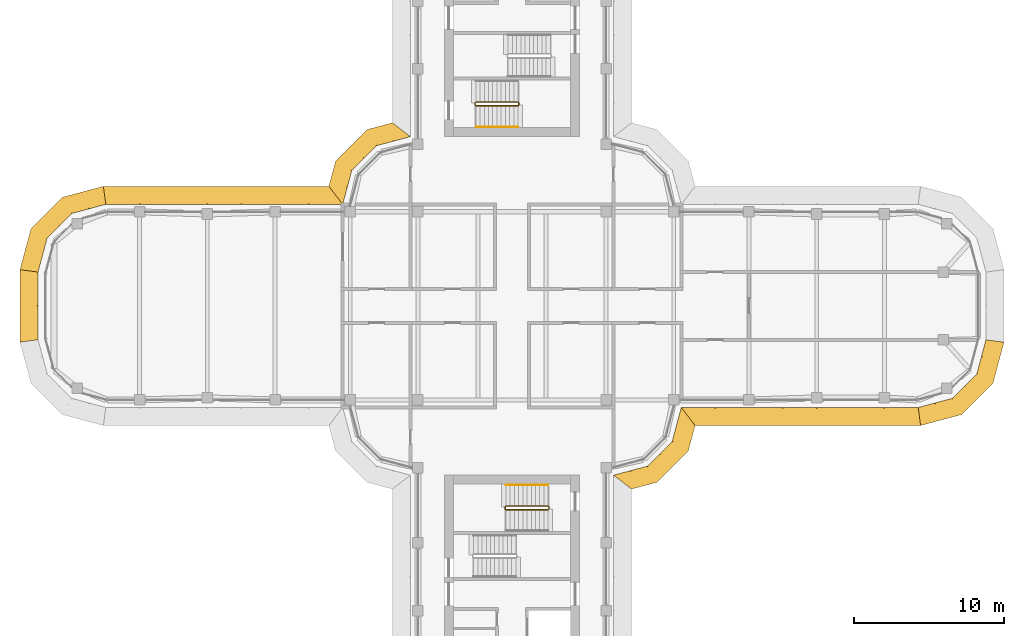
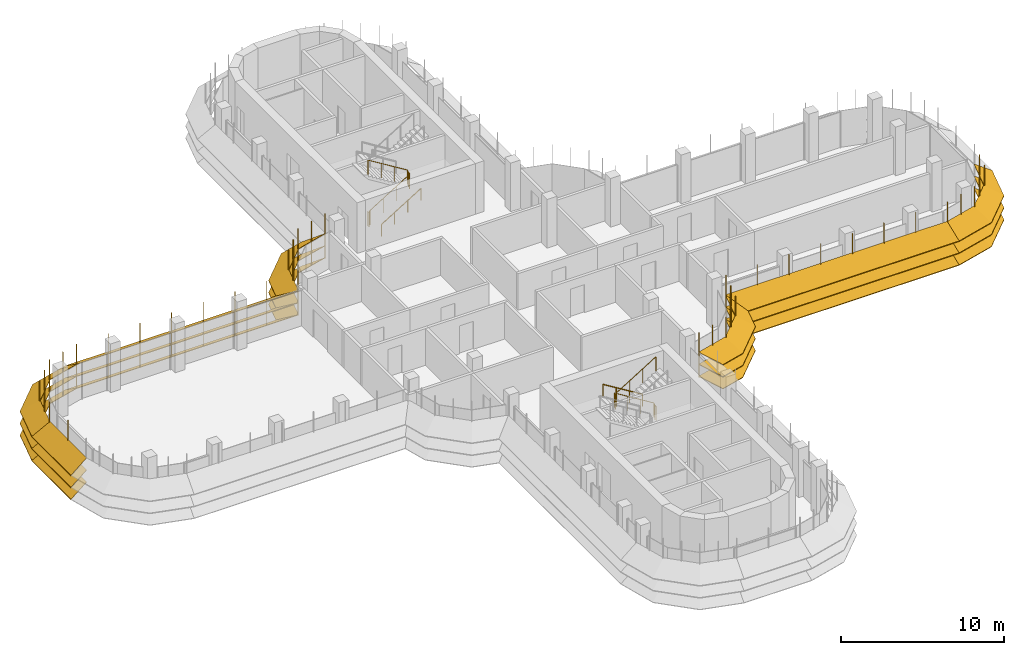
# One storey, part 17 of 19: 7 shading devices, 4 railings.
"""IFC4 building model written with IfcOpenShell, lengths in metres."""

from ifc_helpers import new_model, si_unit, direction, frame, origin, origin_2d, place, context, subcontext, project, spatial, polyline, circle, outline, extrude, faceted_brep, source, transform, mapped, material, type_object, element, save


model = new_model("IFC4")

# Units and contexts
model_context = context("Model", 3, precision=1e-05, world=origin(), true_north=direction((0.0, 1.0)))
body_context = subcontext(model_context, "Body", "Model", "MODEL_VIEW")
ifc_project = project(units=[si_unit("LENGTHUNIT", "METRE"), si_unit("AREAUNIT", "SQUARE_METRE"), si_unit("VOLUMEUNIT", "CUBIC_METRE"), si_unit("PLANEANGLEUNIT", "RADIAN"), si_unit("MASSUNIT", "GRAM", prefix="KILO")], contexts=[model_context])

# Site, building, storey
site_placement = place(None, origin())
site = spatial("IfcSite", under=ifc_project, at=site_placement, CompositionType="ELEMENT")
building_placement = place(site_placement, origin())
building = spatial("IfcBuilding", under=site, at=building_placement, Name="Zarbagh Exchange Tower", CompositionType="ELEMENT")
storey_placement = place(building_placement, frame((0.0, 0.0, 233.39990234375)))
storey = spatial("IfcBuildingStorey", under=building, at=storey_placement, Name="L57", CompositionType="ELEMENT", Elevation=233.39990234375)

# Railings
ifc_material_1 = material(Name="Stainless steel", Category="steel")
railing_type_1 = type_object("IfcRailingType", Name="Stair guard 1100 mm", PredefinedType="GUARDRAIL", material=ifc_material_1)
railing_1_placement = place(storey_placement, frame((-2.449951171875, 13.5, 0.0)))
element("IfcRailing", 1, at=railing_1_placement, inside=storey, type_object=railing_type_1, Name="ST2 stair guard 1", PredefinedType="GUARDRAIL", context=body_context, shape_type="SweptSolid", body=[
    extrude(circle(Radius=0.02392578125, at=origin_2d()), frame((0.0, 0.0, 1.076171875), z_axis=(0.0, -1.0, 0.0), x_axis=(1.0, 0.0, 0.0)), (0.0, 0.0, 1.0), 0.14990234375),
    extrude(circle(Radius=0.02392578125, at=origin_2d()), frame((0.0, -0.14990234375, 1.076171875), z_axis=(0.267953482034, -0.267953482034, 0.925419830635), x_axis=(0.707106781187, 0.707106781187, 0.0)), (0.0, 0.0, 1.0), 0.186767578125),
    extrude(circle(Radius=0.02392578125, at=origin_2d()), frame((0.050048828125, -0.199951171875, 1.2490234375), z_axis=(0.851069175582, 0.0, 0.525053576669), x_axis=(0.0, 1.0, 0.0)), (0.0, 0.0, 1.0), 3.289794921875),
    extrude(circle(Radius=0.02392578125, at=origin_2d()), frame((2.849853515625, -0.199951171875, 2.97607421875), z_axis=(0.707106781187, 0.707106781187, 0.0), x_axis=(-0.707106781187, 0.707106781187, 0.0)), (0.0, 0.0, 1.0), 0.07080078125),
    extrude(circle(Radius=0.02392578125, at=origin_2d()), frame((2.89990234375, -0.14990234375, 2.97607421875), z_axis=(0.0, 1.0, 0.0), x_axis=(-1.0, 0.0, 0.0)), (0.0, 0.0, 1.0), 0.14990234375),
    extrude(circle(Radius=0.02392578125, at=origin_2d()), frame((2.89990234375, 0.0, 2.97607421875), z_axis=(-0.268277960024, 0.268277960024, 0.925231793839), x_axis=(-0.707106781187, -0.707106781187, 0.0)), (0.0, 0.0, 1.0), 0.1865234375),
    extrude(circle(Radius=0.02392578125, at=origin_2d()), frame((2.849853515625, 0.050048828125, 3.14892578125), z_axis=(-0.851069175582, 0.0, 0.525053576669), x_axis=(0.0, -1.0, 0.0)), (0.0, 0.0, 1.0), 3.289794921875),
    extrude(circle(Radius=0.02099609375, at=origin_2d()), origin(), (0.0, 0.0, 1.0), 1.052001953125),
    extrude(circle(Radius=0.02099609375, at=origin_2d()), frame((0.0, -0.14990234375, 0.0)), (0.0, 0.0, 1.0), 1.052001953125),
    extrude(circle(Radius=0.02099609375, at=origin_2d()), frame((0.050048828125, -0.199951171875, 0.1728515625)), (0.0, 0.0, 1.0), 1.052001953125),
    extrude(circle(Radius=0.02099609375, at=origin_2d()), frame((0.9833984375, -0.199951171875, 0.74853515625)), (0.0, 0.0, 1.0), 1.052001953125),
    extrude(circle(Radius=0.02099609375, at=origin_2d()), frame((1.91650390625, -0.199951171875, 1.324462890625)), (0.0, 0.0, 1.0), 1.052001953125),
    extrude(circle(Radius=0.02099609375, at=origin_2d()), frame((2.849853515625, -0.199951171875, 1.900146484375)), (0.0, 0.0, 1.0), 1.052001953125),
    extrude(circle(Radius=0.02099609375, at=origin_2d()), frame((2.89990234375, -0.14990234375, 1.900146484375)), (0.0, 0.0, 1.0), 1.052001953125),
    extrude(circle(Radius=0.02099609375, at=origin_2d()), frame((2.89990234375, 0.0, 1.900146484375)), (0.0, 0.0, 1.0), 1.052001953125),
    extrude(circle(Radius=0.02099609375, at=origin_2d()), frame((2.849853515625, 0.050048828125, 2.07275390625)), (0.0, 0.0, 1.0), 1.052001953125),
    extrude(circle(Radius=0.02099609375, at=origin_2d()), frame((1.91650390625, 0.050048828125, 2.6484375)), (0.0, 0.0, 1.0), 1.052001953125),
    extrude(circle(Radius=0.02099609375, at=origin_2d()), frame((0.9833984375, 0.050048828125, 3.224365234375)), (0.0, 0.0, 1.0), 1.052001953125),
    extrude(circle(Radius=0.02099609375, at=origin_2d()), frame((0.050048828125, 0.050048828125, 3.800048828125)), (0.0, 0.0, 1.0), 1.052001953125),
])
railing_2_placement = place(storey_placement, frame((2.449951171875, -13.5, 0.0)))
element("IfcRailing", 2, at=railing_2_placement, inside=storey, type_object=railing_type_1, Name="ST4 stair guard 1", PredefinedType="GUARDRAIL", context=body_context, shape_type="SweptSolid", body=[
    extrude(circle(Radius=0.02392578125, at=origin_2d()), frame((0.0, 0.0, 1.076171875), z_axis=(0.0, 1.0, 0.0), x_axis=(-1.0, 0.0, 0.0)), (0.0, 0.0, 1.0), 0.14990234375),
    extrude(circle(Radius=0.02392578125, at=origin_2d()), frame((0.0, 0.14990234375, 1.076171875), z_axis=(-0.267953482034, 0.267953482034, 0.925419830635), x_axis=(-0.707106781187, -0.707106781187, 0.0)), (0.0, 0.0, 1.0), 0.186767578125),
    extrude(circle(Radius=0.02392578125, at=origin_2d()), frame((-0.050048828125, 0.199951171875, 1.2490234375), z_axis=(-0.851069175582, 0.0, 0.525053576669), x_axis=(0.0, -1.0, 0.0)), (0.0, 0.0, 1.0), 3.289794921875),
    extrude(circle(Radius=0.02392578125, at=origin_2d()), frame((-2.849853515625, 0.199951171875, 2.97607421875), z_axis=(-0.707106781187, -0.707106781187, 0.0), x_axis=(0.707106781187, -0.707106781187, 0.0)), (0.0, 0.0, 1.0), 0.07080078125),
    extrude(circle(Radius=0.02392578125, at=origin_2d()), frame((-2.89990234375, 0.14990234375, 2.97607421875), z_axis=(0.0, -1.0, 0.0), x_axis=(1.0, 0.0, 0.0)), (0.0, 0.0, 1.0), 0.14990234375),
    extrude(circle(Radius=0.02392578125, at=origin_2d()), frame((-2.89990234375, 0.0, 2.97607421875), z_axis=(0.268277960024, -0.268277960024, 0.925231793839), x_axis=(0.707106781187, 0.707106781187, 0.0)), (0.0, 0.0, 1.0), 0.1865234375),
    extrude(circle(Radius=0.02392578125, at=origin_2d()), frame((-2.849853515625, -0.050048828125, 3.14892578125), z_axis=(0.851069175582, 0.0, 0.525053576669), x_axis=(0.0, 1.0, 0.0)), (0.0, 0.0, 1.0), 3.289794921875),
    extrude(circle(Radius=0.02099609375, at=origin_2d()), origin(), (0.0, 0.0, 1.0), 1.052001953125),
    extrude(circle(Radius=0.02099609375, at=origin_2d()), frame((0.0, 0.14990234375, 0.0)), (0.0, 0.0, 1.0), 1.052001953125),
    extrude(circle(Radius=0.02099609375, at=origin_2d()), frame((-0.050048828125, 0.199951171875, 0.1728515625)), (0.0, 0.0, 1.0), 1.052001953125),
    extrude(circle(Radius=0.02099609375, at=origin_2d()), frame((-0.9833984375, 0.199951171875, 0.74853515625)), (0.0, 0.0, 1.0), 1.052001953125),
    extrude(circle(Radius=0.02099609375, at=origin_2d()), frame((-1.91650390625, 0.199951171875, 1.324462890625)), (0.0, 0.0, 1.0), 1.052001953125),
    extrude(circle(Radius=0.02099609375, at=origin_2d()), frame((-2.849853515625, 0.199951171875, 1.900146484375)), (0.0, 0.0, 1.0), 1.052001953125),
    extrude(circle(Radius=0.02099609375, at=origin_2d()), frame((-2.89990234375, 0.14990234375, 1.900146484375)), (0.0, 0.0, 1.0), 1.052001953125),
    extrude(circle(Radius=0.02099609375, at=origin_2d()), frame((-2.89990234375, 0.0, 1.900146484375)), (0.0, 0.0, 1.0), 1.052001953125),
    extrude(circle(Radius=0.02099609375, at=origin_2d()), frame((-2.849853515625, -0.050048828125, 2.07275390625)), (0.0, 0.0, 1.0), 1.052001953125),
    extrude(circle(Radius=0.02099609375, at=origin_2d()), frame((-1.91650390625, -0.050048828125, 2.6484375)), (0.0, 0.0, 1.0), 1.052001953125),
    extrude(circle(Radius=0.02099609375, at=origin_2d()), frame((-0.9833984375, -0.050048828125, 3.224365234375)), (0.0, 0.0, 1.0), 1.052001953125),
    extrude(circle(Radius=0.02099609375, at=origin_2d()), frame((-0.050048828125, -0.050048828125, 3.800048828125)), (0.0, 0.0, 1.0), 1.052001953125),
])
railing_type_2 = type_object("IfcRailingType", Name="Stair handrail 900 mm", PredefinedType="HANDRAIL", material=ifc_material_1)
railing_3_placement = place(storey_placement, frame((-2.39990234375, 11.89990234375, 0.1728515625)))
element("IfcRailing", 3, at=railing_3_placement, inside=storey, type_object=railing_type_2, Name="ST2 stair handrail 1", PredefinedType="HANDRAIL", context=body_context, shape_type="SweptSolid", body=[
    extrude(circle(Radius=0.02392578125, at=origin_2d()), frame((0.0, 0.0, 0.8759765625), z_axis=(0.851069175582, 0.0, 0.525053576669), x_axis=(0.0, 1.0, 0.0)), (0.0, 0.0, 1.0), 3.289794921875),
    extrude(circle(Radius=0.02099609375, at=origin_2d()), origin(), (0.0, 0.0, 1.0), 0.851806640625),
    extrude(circle(Radius=0.02099609375, at=origin_2d()), frame((0.933349609375, 0.0, 0.57568359375)), (0.0, 0.0, 1.0), 0.851806640625),
    extrude(circle(Radius=0.02099609375, at=origin_2d()), frame((1.866455078125, 0.0, 1.151611328125)), (0.0, 0.0, 1.0), 0.851806640625),
    extrude(circle(Radius=0.02099609375, at=origin_2d()), frame((2.7998046875, 0.0, 1.727294921875)), (0.0, 0.0, 1.0), 0.851806640625),
])
railing_4_placement = place(storey_placement, frame((2.39990234375, -11.89990234375, 0.1728515625)))
element("IfcRailing", 4, at=railing_4_placement, inside=storey, type_object=railing_type_2, Name="ST4 stair handrail 1", PredefinedType="HANDRAIL", context=body_context, shape_type="SweptSolid", body=[
    extrude(circle(Radius=0.02392578125, at=origin_2d()), frame((0.0, 0.0, 0.8759765625), z_axis=(-0.851069175582, 0.0, 0.525053576669), x_axis=(0.0, -1.0, 0.0)), (0.0, 0.0, 1.0), 3.289794921875),
    extrude(circle(Radius=0.02099609375, at=origin_2d()), origin(), (0.0, 0.0, 1.0), 0.851806640625),
    extrude(circle(Radius=0.02099609375, at=origin_2d()), frame((-0.933349609375, 0.0, 0.57568359375)), (0.0, 0.0, 1.0), 0.851806640625),
    extrude(circle(Radius=0.02099609375, at=origin_2d()), frame((-1.866455078125, 0.0, 1.151611328125)), (0.0, 0.0, 1.0), 0.851806640625),
    extrude(circle(Radius=0.02099609375, at=origin_2d()), frame((-2.7998046875, 0.0, 1.727294921875)), (0.0, 0.0, 1.0), 0.851806640625),
])

# Shading devices
ifc_material_2 = material(Name="Anodised aluminium blades and brackets", Category="aluminium")
shading_device_type = type_object("IfcShadingDeviceType", Name="SUNSHADE louvre band, 33.75 degree blades", PredefinedType="JALOUSIE", material=ifc_material_2)
shared_shape_1 = source(origin(), body_context, "Body", "Brep", [
    faceted_brep([(0.0, 0.0, 0.0), (0.0, 0.0, -0.048095703125), (-0.157958984375, -1.199951171875, -0.849853515625), (-0.157958984375, -1.199951171875, -0.8017578125), (2.65087890625, -1.199951171875, -0.8017578125), (2.65087890625, -1.199951171875, -0.849853515625), (2.329345703125, 0.0, -0.048095703125), (2.329345703125, 0.0, 0.0)], [[[0, 1, 2, 3]], [[4, 5, 6, 7]], [[0, 7, 6, 1]], [[1, 6, 5, 2]], [[2, 5, 4, 3]], [[3, 4, 7, 0]]]),
])
shared_shape_2 = source(origin(), body_context, "Body", "Brep", [
    faceted_brep([(0.0, 0.0, 0.0), (0.0, 0.0, -0.048095703125), (-0.321533203125, -1.199951171875, -0.849853515625), (-0.321533203125, -1.199951171875, -0.8017578125), (2.65087890625, -1.199951171875, -0.8017578125), (2.65087890625, -1.199951171875, -0.849853515625), (2.329345703125, 0.0, -0.048095703125), (2.329345703125, 0.0, 0.0)], [[[0, 1, 2, 3]], [[4, 5, 6, 7]], [[0, 7, 6, 1]], [[1, 6, 5, 2]], [[2, 5, 4, 3]], [[3, 4, 7, 0]]]),
])
shared_shape_3 = source(origin(), body_context, "Body", "Brep", [
    faceted_brep([(0.0, 0.0, 0.0), (0.0, 0.0, -0.048095703125), (-0.321533203125, -1.199951171875, -0.849853515625), (-0.321533203125, -1.199951171875, -0.8017578125), (2.4873046875, -1.199951171875, -0.8017578125), (2.4873046875, -1.199951171875, -0.849853515625), (2.329345703125, 0.0, -0.048095703125), (2.329345703125, 0.0, 0.0)], [[[0, 1, 2, 3]], [[4, 5, 6, 7]], [[0, 7, 6, 1]], [[1, 6, 5, 2]], [[2, 5, 4, 3]], [[3, 4, 7, 0]]]),
])
shared_shape_4 = source(origin(), body_context, "Body", "SweptSolid", [
    extrude(outline(polyline([(0.0, -0.012451171875), (0.06005859375, -0.012451171875), (0.06005859375, 0.012451171875), (0.0, 0.012451171875), (0.0, -0.012451171875)])), origin(), (0.0, 0.0, 1.0), 3.358154296875),
])
placement = place(storey_placement, origin())
element("IfcShadingDevice", 5, at=placement, inside=storey, type_object=shading_device_type, Name="SS31 sunshade band", PredefinedType="JALOUSIE", context=body_context, shape_type="MappedRepresentation", body=[
    mapped(shared_shape_1, transform((27.0, -6.75, 2.300048828125), x_axis=(0.965924289636, 0.258824779902, 0.0), y_axis=(-0.258824779902, 0.965924289636, 0.0), z_axis=(0.0, 0.0, 1.0))),
    mapped(shared_shape_1, transform((27.0, -6.75, 1.400146484375), x_axis=(0.965924289636, 0.258824779902, 0.0), y_axis=(-0.258824779902, 0.965924289636, 0.0), z_axis=(0.0, 0.0, 1.0))),
    mapped(shared_shape_1, transform((27.0, -6.75, 0.5), x_axis=(0.965924289636, 0.258824779902, 0.0), y_axis=(-0.258824779902, 0.965924289636, 0.0), z_axis=(0.0, 0.0, 1.0))),
    mapped(shared_shape_2, transform((29.25, -6.147216796875, 2.300048828125), x_axis=(0.707106781187, 0.707106781187, 0.0), y_axis=(-0.707106781187, 0.707106781187, 0.0), z_axis=(0.0, 0.0, 1.0))),
    mapped(shared_shape_2, transform((29.25, -6.147216796875, 1.400146484375), x_axis=(0.707106781187, 0.707106781187, 0.0), y_axis=(-0.707106781187, 0.707106781187, 0.0), z_axis=(0.0, 0.0, 1.0))),
    mapped(shared_shape_2, transform((29.25, -6.147216796875, 0.5), x_axis=(0.707106781187, 0.707106781187, 0.0), y_axis=(-0.707106781187, 0.707106781187, 0.0), z_axis=(0.0, 0.0, 1.0))),
    mapped(shared_shape_3, transform((30.897216796875, -4.5, 2.300048828125), x_axis=(0.258824779902, 0.965924289636, 0.0), y_axis=(-0.965924289636, 0.258824779902, 0.0), z_axis=(0.0, 0.0, 1.0))),
    mapped(shared_shape_3, transform((30.897216796875, -4.5, 1.400146484375), x_axis=(0.258824779902, 0.965924289636, 0.0), y_axis=(-0.965924289636, 0.258824779902, 0.0), z_axis=(0.0, 0.0, 1.0))),
    mapped(shared_shape_3, transform((30.897216796875, -4.5, 0.5), x_axis=(0.258824779902, 0.965924289636, 0.0), y_axis=(-0.965924289636, 0.258824779902, 0.0), z_axis=(0.0, 0.0, 1.0))),
    mapped(shared_shape_4, transform((27.0, -6.75, 0.421875), x_axis=(0.130529263012, -0.991444457092, 0.0), y_axis=(0.991444457092, 0.130529263012, 0.0), z_axis=(0.0, 0.0, 1.0))),
    mapped(shared_shape_4, transform((28.125, -6.448486328125, 0.421875), x_axis=(0.258825058029, -0.96592421511, 0.0), y_axis=(0.96592421511, 0.258825058029, 0.0), z_axis=(0.0, 0.0, 1.0))),
    mapped(shared_shape_4, transform((29.25, -6.147216796875, 0.421875), x_axis=(0.50000275701, -0.866023812018, 0.0), y_axis=(0.866023812018, 0.50000275701, 0.0), z_axis=(0.0, 0.0, 1.0))),
    mapped(shared_shape_4, transform((30.073486328125, -5.323486328125, 0.421875), x_axis=(0.707106781187, -0.707106781187, 0.0), y_axis=(0.707106781187, 0.707106781187, 0.0), z_axis=(0.0, 0.0, 1.0))),
    mapped(shared_shape_4, transform((30.897216796875, -4.5, 0.421875), x_axis=(0.866023812018, -0.50000275701, 0.0), y_axis=(0.50000275701, 0.866023812018, 0.0), z_axis=(0.0, 0.0, 1.0))),
    mapped(shared_shape_4, transform((31.198486328125, -3.375, 0.421875), x_axis=(0.96592421511, -0.258825058029, 0.0), y_axis=(0.258825058029, 0.96592421511, 0.0), z_axis=(0.0, 0.0, 1.0))),
])
element("IfcShadingDevice", 6, at=placement, inside=storey, type_object=shading_device_type, Name="SS41 sunshade band", PredefinedType="JALOUSIE", context=body_context, shape_type="MappedRepresentation", body=[
    mapped(shared_shape_1, transform((-27.0, 6.75, 2.300048828125), x_axis=(-0.965924289636, -0.258824779902, 0.0), y_axis=(0.258824779902, -0.965924289636, 0.0), z_axis=(0.0, 0.0, 1.0))),
    mapped(shared_shape_1, transform((-27.0, 6.75, 1.400146484375), x_axis=(-0.965924289636, -0.258824779902, 0.0), y_axis=(0.258824779902, -0.965924289636, 0.0), z_axis=(0.0, 0.0, 1.0))),
    mapped(shared_shape_1, transform((-27.0, 6.75, 0.5), x_axis=(-0.965924289636, -0.258824779902, 0.0), y_axis=(0.258824779902, -0.965924289636, 0.0), z_axis=(0.0, 0.0, 1.0))),
    mapped(shared_shape_2, transform((-29.25, 6.147216796875, 2.300048828125), x_axis=(-0.707106781187, -0.707106781187, 0.0), y_axis=(0.707106781187, -0.707106781187, 0.0), z_axis=(0.0, 0.0, 1.0))),
    mapped(shared_shape_2, transform((-29.25, 6.147216796875, 1.400146484375), x_axis=(-0.707106781187, -0.707106781187, 0.0), y_axis=(0.707106781187, -0.707106781187, 0.0), z_axis=(0.0, 0.0, 1.0))),
    mapped(shared_shape_2, transform((-29.25, 6.147216796875, 0.5), x_axis=(-0.707106781187, -0.707106781187, 0.0), y_axis=(0.707106781187, -0.707106781187, 0.0), z_axis=(0.0, 0.0, 1.0))),
    mapped(shared_shape_3, transform((-30.897216796875, 4.5, 2.300048828125), x_axis=(-0.258824779902, -0.965924289636, 0.0), y_axis=(0.965924289636, -0.258824779902, 0.0), z_axis=(0.0, 0.0, 1.0))),
    mapped(shared_shape_3, transform((-30.897216796875, 4.5, 1.400146484375), x_axis=(-0.258824779902, -0.965924289636, 0.0), y_axis=(0.965924289636, -0.258824779902, 0.0), z_axis=(0.0, 0.0, 1.0))),
    mapped(shared_shape_3, transform((-30.897216796875, 4.5, 0.5), x_axis=(-0.258824779902, -0.965924289636, 0.0), y_axis=(0.965924289636, -0.258824779902, 0.0), z_axis=(0.0, 0.0, 1.0))),
    mapped(shared_shape_4, transform((-27.0, 6.75, 0.421875), x_axis=(-0.130529263012, 0.991444457092, 0.0), y_axis=(-0.991444457092, -0.130529263012, 0.0), z_axis=(0.0, 0.0, 1.0))),
    mapped(shared_shape_4, transform((-28.125, 6.448486328125, 0.421875), x_axis=(-0.258825058029, 0.96592421511, 0.0), y_axis=(-0.96592421511, -0.258825058029, 0.0), z_axis=(0.0, 0.0, 1.0))),
    mapped(shared_shape_4, transform((-29.25, 6.147216796875, 0.421875), x_axis=(-0.50000275701, 0.866023812018, 0.0), y_axis=(-0.866023812018, -0.50000275701, 0.0), z_axis=(0.0, 0.0, 1.0))),
    mapped(shared_shape_4, transform((-30.073486328125, 5.323486328125, 0.421875), x_axis=(-0.707106781187, 0.707106781187, 0.0), y_axis=(-0.707106781187, -0.707106781187, 0.0), z_axis=(0.0, 0.0, 1.0))),
    mapped(shared_shape_4, transform((-30.897216796875, 4.5, 0.421875), x_axis=(-0.866023812018, 0.50000275701, 0.0), y_axis=(-0.50000275701, -0.866023812018, 0.0), z_axis=(0.0, 0.0, 1.0))),
    mapped(shared_shape_4, transform((-31.198486328125, 3.375, 0.421875), x_axis=(-0.96592421511, 0.258825058029, 0.0), y_axis=(-0.258825058029, -0.96592421511, 0.0), z_axis=(0.0, 0.0, 1.0))),
])
shared_shape_5 = source(origin(), body_context, "Body", "Brep", [
    faceted_brep([(0.0, 0.0, 0.0), (0.0, 0.0, -0.048095703125), (0.9208984375, -1.199951171875, -0.849853515625), (0.9208984375, -1.199951171875, -0.8017578125), (2.65087890625, -1.199951171875, -0.8017578125), (2.65087890625, -1.199951171875, -0.849853515625), (2.329345703125, 0.0, -0.048095703125), (2.329345703125, 0.0, 0.0)], [[[0, 1, 2, 3]], [[4, 5, 6, 7]], [[0, 7, 6, 1]], [[1, 6, 5, 2]], [[2, 5, 4, 3]], [[3, 4, 7, 0]]]),
])
shared_shape_6 = source(origin(), body_context, "Body", "Brep", [
    faceted_brep([(0.0, 0.0, 0.0), (0.0, 0.0, -0.048095703125), (-0.321533203125, -1.199951171875, -0.849853515625), (-0.321533203125, -1.199951171875, -0.8017578125), (1.40869140625, -1.199951171875, -0.8017578125), (1.40869140625, -1.199951171875, -0.849853515625), (2.329345703125, 0.0, -0.048095703125), (2.329345703125, 0.0, 0.0)], [[[0, 1, 2, 3]], [[4, 5, 6, 7]], [[0, 7, 6, 1]], [[1, 6, 5, 2]], [[2, 5, 4, 3]], [[3, 4, 7, 0]]]),
])
element("IfcShadingDevice", 7, at=placement, inside=storey, type_object=shading_device_type, Name="SS03 sunshade band", PredefinedType="JALOUSIE", context=body_context, shape_type="MappedRepresentation", body=[
    mapped(shared_shape_5, transform((6.75, -11.25, 2.300048828125), x_axis=(0.965924289636, 0.258824779902, 0.0), y_axis=(-0.258824779902, 0.965924289636, 0.0), z_axis=(0.0, 0.0, 1.0))),
    mapped(shared_shape_5, transform((6.75, -11.25, 1.400146484375), x_axis=(0.965924289636, 0.258824779902, 0.0), y_axis=(-0.258824779902, 0.965924289636, 0.0), z_axis=(0.0, 0.0, 1.0))),
    mapped(shared_shape_5, transform((6.75, -11.25, 0.5), x_axis=(0.965924289636, 0.258824779902, 0.0), y_axis=(-0.258824779902, 0.965924289636, 0.0), z_axis=(0.0, 0.0, 1.0))),
    mapped(shared_shape_2, transform((9.0, -10.647216796875, 2.300048828125), x_axis=(0.707106781187, 0.707106781187, 0.0), y_axis=(-0.707106781187, 0.707106781187, 0.0), z_axis=(0.0, 0.0, 1.0))),
    mapped(shared_shape_2, transform((9.0, -10.647216796875, 1.400146484375), x_axis=(0.707106781187, 0.707106781187, 0.0), y_axis=(-0.707106781187, 0.707106781187, 0.0), z_axis=(0.0, 0.0, 1.0))),
    mapped(shared_shape_2, transform((9.0, -10.647216796875, 0.5), x_axis=(0.707106781187, 0.707106781187, 0.0), y_axis=(-0.707106781187, 0.707106781187, 0.0), z_axis=(0.0, 0.0, 1.0))),
    mapped(shared_shape_6, transform((10.647216796875, -9.0, 2.300048828125), x_axis=(0.258824779902, 0.965924289636, 0.0), y_axis=(-0.965924289636, 0.258824779902, 0.0), z_axis=(0.0, 0.0, 1.0))),
    mapped(shared_shape_6, transform((10.647216796875, -9.0, 1.400146484375), x_axis=(0.258824779902, 0.965924289636, 0.0), y_axis=(-0.965924289636, 0.258824779902, 0.0), z_axis=(0.0, 0.0, 1.0))),
    mapped(shared_shape_6, transform((10.647216796875, -9.0, 0.5), x_axis=(0.258824779902, 0.965924289636, 0.0), y_axis=(-0.965924289636, 0.258824779902, 0.0), z_axis=(0.0, 0.0, 1.0))),
    mapped(shared_shape_4, transform((6.75, -11.25, 0.421875), x_axis=(0.793355287, -0.608758892, 0.0), y_axis=(0.608758892, 0.793355287, 0.0), z_axis=(0.0, 0.0, 1.0))),
    mapped(shared_shape_4, transform((7.875, -10.948486328125, 0.421875), x_axis=(0.258825058029, -0.96592421511, 0.0), y_axis=(0.96592421511, 0.258825058029, 0.0), z_axis=(0.0, 0.0, 1.0))),
    mapped(shared_shape_4, transform((9.0, -10.647216796875, 0.421875), x_axis=(0.50000275701, -0.866023812018, 0.0), y_axis=(0.866023812018, 0.50000275701, 0.0), z_axis=(0.0, 0.0, 1.0))),
    mapped(shared_shape_4, transform((9.823486328125, -9.823486328125, 0.421875), x_axis=(0.707106781187, -0.707106781187, 0.0), y_axis=(0.707106781187, 0.707106781187, 0.0), z_axis=(0.0, 0.0, 1.0))),
    mapped(shared_shape_4, transform((10.647216796875, -9.0, 0.421875), x_axis=(0.866023812018, -0.50000275701, 0.0), y_axis=(0.50000275701, 0.866023812018, 0.0), z_axis=(0.0, 0.0, 1.0))),
    mapped(shared_shape_4, transform((10.948486328125, -7.875, 0.421875), x_axis=(0.96592421511, -0.258825058029, 0.0), y_axis=(0.258825058029, 0.96592421511, 0.0), z_axis=(0.0, 0.0, 1.0))),
])
element("IfcShadingDevice", 8, at=placement, inside=storey, type_object=shading_device_type, Name="SS15 sunshade band", PredefinedType="JALOUSIE", context=body_context, shape_type="MappedRepresentation", body=[
    mapped(shared_shape_5, transform((-6.75, 11.25, 2.300048828125), x_axis=(-0.965924289636, -0.258824779902, 0.0), y_axis=(0.258824779902, -0.965924289636, 0.0), z_axis=(0.0, 0.0, 1.0))),
    mapped(shared_shape_5, transform((-6.75, 11.25, 1.400146484375), x_axis=(-0.965924289636, -0.258824779902, 0.0), y_axis=(0.258824779902, -0.965924289636, 0.0), z_axis=(0.0, 0.0, 1.0))),
    mapped(shared_shape_5, transform((-6.75, 11.25, 0.5), x_axis=(-0.965924289636, -0.258824779902, 0.0), y_axis=(0.258824779902, -0.965924289636, 0.0), z_axis=(0.0, 0.0, 1.0))),
    mapped(shared_shape_2, transform((-9.0, 10.647216796875, 2.300048828125), x_axis=(-0.707106781187, -0.707106781187, 0.0), y_axis=(0.707106781187, -0.707106781187, 0.0), z_axis=(0.0, 0.0, 1.0))),
    mapped(shared_shape_2, transform((-9.0, 10.647216796875, 1.400146484375), x_axis=(-0.707106781187, -0.707106781187, 0.0), y_axis=(0.707106781187, -0.707106781187, 0.0), z_axis=(0.0, 0.0, 1.0))),
    mapped(shared_shape_2, transform((-9.0, 10.647216796875, 0.5), x_axis=(-0.707106781187, -0.707106781187, 0.0), y_axis=(0.707106781187, -0.707106781187, 0.0), z_axis=(0.0, 0.0, 1.0))),
    mapped(shared_shape_6, transform((-10.647216796875, 9.0, 2.300048828125), x_axis=(-0.258824779902, -0.965924289636, 0.0), y_axis=(0.965924289636, -0.258824779902, 0.0), z_axis=(0.0, 0.0, 1.0))),
    mapped(shared_shape_6, transform((-10.647216796875, 9.0, 1.400146484375), x_axis=(-0.258824779902, -0.965924289636, 0.0), y_axis=(0.965924289636, -0.258824779902, 0.0), z_axis=(0.0, 0.0, 1.0))),
    mapped(shared_shape_6, transform((-10.647216796875, 9.0, 0.5), x_axis=(-0.258824779902, -0.965924289636, 0.0), y_axis=(0.965924289636, -0.258824779902, 0.0), z_axis=(0.0, 0.0, 1.0))),
    mapped(shared_shape_4, transform((-6.75, 11.25, 0.421875), x_axis=(-0.793355287, 0.608758892, 0.0), y_axis=(-0.608758892, -0.793355287, 0.0), z_axis=(0.0, 0.0, 1.0))),
    mapped(shared_shape_4, transform((-7.875, 10.948486328125, 0.421875), x_axis=(-0.258825058029, 0.96592421511, 0.0), y_axis=(-0.96592421511, -0.258825058029, 0.0), z_axis=(0.0, 0.0, 1.0))),
    mapped(shared_shape_4, transform((-9.0, 10.647216796875, 0.421875), x_axis=(-0.50000275701, 0.866023812018, 0.0), y_axis=(-0.866023812018, -0.50000275701, 0.0), z_axis=(0.0, 0.0, 1.0))),
    mapped(shared_shape_4, transform((-9.823486328125, 9.823486328125, 0.421875), x_axis=(-0.707106781187, 0.707106781187, 0.0), y_axis=(-0.707106781187, -0.707106781187, 0.0), z_axis=(0.0, 0.0, 1.0))),
    mapped(shared_shape_4, transform((-10.647216796875, 9.0, 0.421875), x_axis=(-0.866023812018, 0.50000275701, 0.0), y_axis=(-0.50000275701, -0.866023812018, 0.0), z_axis=(0.0, 0.0, 1.0))),
    mapped(shared_shape_4, transform((-10.948486328125, 7.875, 0.421875), x_axis=(-0.96592421511, 0.258825058029, 0.0), y_axis=(-0.258825058029, -0.96592421511, 0.0), z_axis=(0.0, 0.0, 1.0))),
])
shared_shape_7 = source(origin(), body_context, "Body", "Brep", [
    faceted_brep([(0.0, 0.0, 0.0), (0.0, 0.0, -0.048095703125), (0.9208984375, -1.199951171875, -0.849853515625), (0.9208984375, -1.199951171875, -0.8017578125), (15.907958984375, -1.199951171875, -0.8017578125), (15.907958984375, -1.199951171875, -0.849853515625), (15.75, 0.0, -0.048095703125), (15.75, 0.0, 0.0)], [[[0, 1, 2, 3]], [[4, 5, 6, 7]], [[0, 7, 6, 1]], [[1, 6, 5, 2]], [[2, 5, 4, 3]], [[3, 4, 7, 0]]]),
])
element("IfcShadingDevice", 9, at=placement, inside=storey, type_object=shading_device_type, Name="SS30 sunshade band", PredefinedType="JALOUSIE", context=body_context, shape_type="MappedRepresentation", body=[
    mapped(shared_shape_7, transform((11.25, -6.75, 2.300048828125), x_axis=(1.0, 0.0, 0.0), y_axis=(0.0, 1.0, 0.0), z_axis=(0.0, 0.0, 1.0))),
    mapped(shared_shape_7, transform((11.25, -6.75, 1.400146484375), x_axis=(1.0, 0.0, 0.0), y_axis=(0.0, 1.0, 0.0), z_axis=(0.0, 0.0, 1.0))),
    mapped(shared_shape_7, transform((11.25, -6.75, 0.5), x_axis=(1.0, 0.0, 0.0), y_axis=(0.0, 1.0, 0.0), z_axis=(0.0, 0.0, 1.0))),
    mapped(shared_shape_4, transform((11.25, -6.75, 0.421875), x_axis=(0.608758892, -0.793355287, 0.0), y_axis=(0.793355287, 0.608758892, 0.0), z_axis=(0.0, 0.0, 1.0))),
    mapped(shared_shape_4, transform((13.5, -6.75, 0.421875), x_axis=(0.0, -1.0, 0.0), y_axis=(1.0, 0.0, 0.0), z_axis=(0.0, 0.0, 1.0))),
    mapped(shared_shape_4, transform((15.75, -6.75, 0.421875), x_axis=(0.0, -1.0, 0.0), y_axis=(1.0, 0.0, 0.0), z_axis=(0.0, 0.0, 1.0))),
    mapped(shared_shape_4, transform((18.0, -6.75, 0.421875), x_axis=(0.0, -1.0, 0.0), y_axis=(1.0, 0.0, 0.0), z_axis=(0.0, 0.0, 1.0))),
    mapped(shared_shape_4, transform((20.25, -6.75, 0.421875), x_axis=(0.0, -1.0, 0.0), y_axis=(1.0, 0.0, 0.0), z_axis=(0.0, 0.0, 1.0))),
    mapped(shared_shape_4, transform((22.5, -6.75, 0.421875), x_axis=(0.0, -1.0, 0.0), y_axis=(1.0, 0.0, 0.0), z_axis=(0.0, 0.0, 1.0))),
    mapped(shared_shape_4, transform((24.75, -6.75, 0.421875), x_axis=(0.0, -1.0, 0.0), y_axis=(1.0, 0.0, 0.0), z_axis=(0.0, 0.0, 1.0))),
])
element("IfcShadingDevice", 10, at=placement, inside=storey, type_object=shading_device_type, Name="SS40 sunshade band", PredefinedType="JALOUSIE", context=body_context, shape_type="MappedRepresentation", body=[
    mapped(shared_shape_7, transform((-11.25, 6.75, 2.300048828125), x_axis=(-1.0, 0.0, 0.0), y_axis=(0.0, -1.0, 0.0), z_axis=(0.0, 0.0, 1.0))),
    mapped(shared_shape_7, transform((-11.25, 6.75, 1.400146484375), x_axis=(-1.0, 0.0, 0.0), y_axis=(0.0, -1.0, 0.0), z_axis=(0.0, 0.0, 1.0))),
    mapped(shared_shape_7, transform((-11.25, 6.75, 0.5), x_axis=(-1.0, 0.0, 0.0), y_axis=(0.0, -1.0, 0.0), z_axis=(0.0, 0.0, 1.0))),
    mapped(shared_shape_4, transform((-11.25, 6.75, 0.421875), x_axis=(-0.608758892, 0.793355287, 0.0), y_axis=(-0.793355287, -0.608758892, 0.0), z_axis=(0.0, 0.0, 1.0))),
    mapped(shared_shape_4, transform((-13.5, 6.75, 0.421875), x_axis=(0.0, 1.0, 0.0), y_axis=(-1.0, 0.0, 0.0), z_axis=(0.0, 0.0, 1.0))),
    mapped(shared_shape_4, transform((-15.75, 6.75, 0.421875), x_axis=(0.0, 1.0, 0.0), y_axis=(-1.0, 0.0, 0.0), z_axis=(0.0, 0.0, 1.0))),
    mapped(shared_shape_4, transform((-18.0, 6.75, 0.421875), x_axis=(0.0, 1.0, 0.0), y_axis=(-1.0, 0.0, 0.0), z_axis=(0.0, 0.0, 1.0))),
    mapped(shared_shape_4, transform((-20.25, 6.75, 0.421875), x_axis=(0.0, 1.0, 0.0), y_axis=(-1.0, 0.0, 0.0), z_axis=(0.0, 0.0, 1.0))),
    mapped(shared_shape_4, transform((-22.5, 6.75, 0.421875), x_axis=(0.0, 1.0, 0.0), y_axis=(-1.0, 0.0, 0.0), z_axis=(0.0, 0.0, 1.0))),
    mapped(shared_shape_4, transform((-24.75, 6.75, 0.421875), x_axis=(0.0, 1.0, 0.0), y_axis=(-1.0, 0.0, 0.0), z_axis=(0.0, 0.0, 1.0))),
])
shared_shape_8 = source(origin(), body_context, "Body", "Brep", [
    faceted_brep([(0.0, 0.0, 0.0), (0.0, 0.0, -0.048095703125), (-0.157958984375, -1.199951171875, -0.849853515625), (-0.157958984375, -1.199951171875, -0.8017578125), (4.657958984375, -1.199951171875, -0.8017578125), (4.657958984375, -1.199951171875, -0.849853515625), (4.5, 0.0, -0.048095703125), (4.5, 0.0, 0.0)], [[[0, 1, 2, 3]], [[4, 5, 6, 7]], [[0, 7, 6, 1]], [[1, 6, 5, 2]], [[2, 5, 4, 3]], [[3, 4, 7, 0]]]),
])
element("IfcShadingDevice", 11, at=placement, inside=storey, type_object=shading_device_type, Name="SS42 sunshade band", PredefinedType="JALOUSIE", context=body_context, shape_type="MappedRepresentation", body=[
    mapped(shared_shape_8, transform((-31.5, 2.25, 2.300048828125), x_axis=(0.0, -1.0, 0.0), y_axis=(1.0, 0.0, 0.0), z_axis=(0.0, 0.0, 1.0))),
    mapped(shared_shape_8, transform((-31.5, 2.25, 1.400146484375), x_axis=(0.0, -1.0, 0.0), y_axis=(1.0, 0.0, 0.0), z_axis=(0.0, 0.0, 1.0))),
    mapped(shared_shape_8, transform((-31.5, 2.25, 0.5), x_axis=(0.0, -1.0, 0.0), y_axis=(1.0, 0.0, 0.0), z_axis=(0.0, 0.0, 1.0))),
    mapped(shared_shape_4, transform((-31.5, 2.25, 0.421875), x_axis=(-0.991444457092, 0.130529263012, 0.0), y_axis=(-0.130529263012, -0.991444457092, 0.0), z_axis=(0.0, 0.0, 1.0))),
    mapped(shared_shape_4, transform((-31.5, 0.0, 0.421875), x_axis=(-1.0, 0.0, 0.0), y_axis=(0.0, -1.0, 0.0), z_axis=(0.0, 0.0, 1.0))),
])

save(model, "model.ifc")
